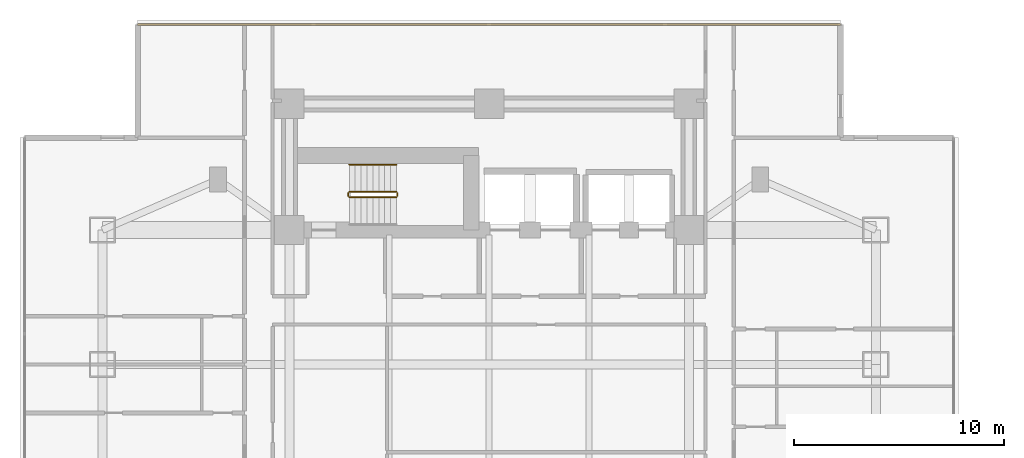
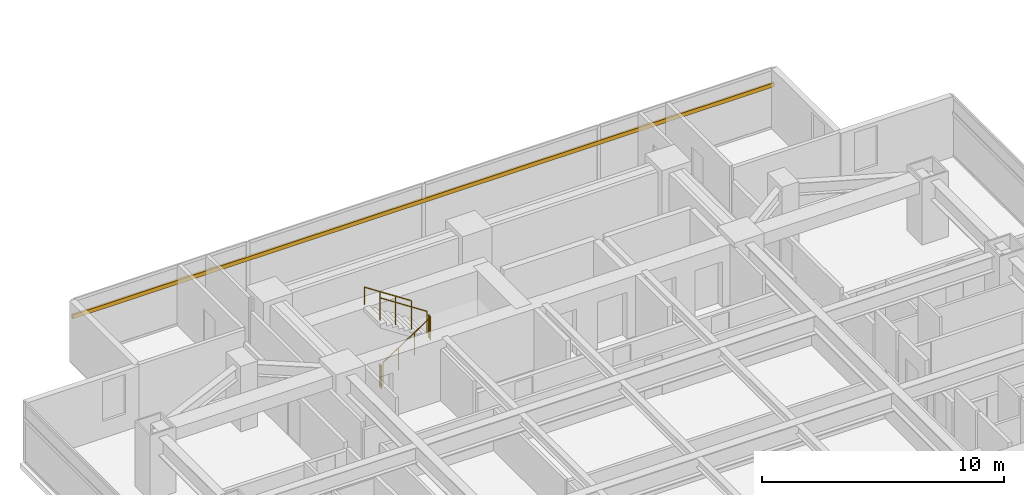
# One storey, part 22 of 25: 5 railings, 1 shading device.
"""IFC4 building model written with IfcOpenShell, lengths in metres."""

from ifc_helpers import new_model, si_unit, direction, frame, origin, origin_2d, place, context, subcontext, project, spatial, rectangle, circle, extrude, material, material_profile, profile_set, type_object, element, save


model = new_model("IFC4")

# Units and contexts
model_context = context("Model", 3, precision=1e-05, world=origin(), true_north=direction((0.0, 1.0)))
body_context = subcontext(model_context, "Body", "Model", "MODEL_VIEW")
ifc_project = project(units=[si_unit("LENGTHUNIT", "METRE"), si_unit("AREAUNIT", "SQUARE_METRE"), si_unit("VOLUMEUNIT", "CUBIC_METRE"), si_unit("PLANEANGLEUNIT", "RADIAN"), si_unit("MASSUNIT", "GRAM", prefix="KILO")], contexts=[model_context])

# Site, building, storey
site_placement = place(None, origin())
site = spatial("IfcSite", under=ifc_project, at=site_placement, CompositionType="ELEMENT")
building_placement = place(site_placement, origin())
building = spatial("IfcBuilding", under=site, at=building_placement, Name="Mirazonda Arch Towers", CompositionType="ELEMENT")
storey_placement = place(building_placement, frame((0.0, 0.0, 35.60009765625)))
storey = spatial("IfcBuildingStorey", under=building, at=storey_placement, Name="L09", CompositionType="ELEMENT", Elevation=35.60009765625)

# Shading device
ifc_material_1 = material(Name="Kiln-Fired Architectural Terracotta", Category="masonry")
ifc_material_profile = material_profile(ifc_material_1, rectangle(XDim=0.10009765625, YDim=0.199951171875, at=origin_2d()), Name="TERRA-BAG-100x200")
ifc_profile_set = profile_set([ifc_material_profile], Name="Kiln-Fired Architectural Terracotta")
shading_device_type = type_object("IfcShadingDeviceType", Name="BAGUETTE-2", PredefinedType="USERDEFINED", material=ifc_profile_set)
shading_device_placement = place(storey_placement, frame((3.780029296875, 47.3720703125, 2.188720703125), z_axis=(1.0, 0.0, 0.0), x_axis=(0.0, 1.0, 0.0)))
element("IfcShadingDevice", 1, at=shading_device_placement, inside=storey, type_object=shading_device_type, Name="L09 Glazed Terracotta Sun-Screen Baguette CW-L09-T1-N", ObjectType="BAGUETTE", PredefinedType="USERDEFINED", context=body_context, shape_type="SweptSolid", body=[
    extrude(rectangle(XDim=0.10009765625, YDim=0.199951171875, at=origin_2d()), origin(), (0.0, 0.0, 1.0), 33.43994140625),
])

# Railings
ifc_material_2 = material(Name="Architectural Brushed Steel S355", Category="steel")
railing_type_1 = type_object("IfcRailingType", Name="GUARD-STAIR-1120", PredefinedType="GUARDRAIL", material=ifc_material_2)
railing_1_placement = place(storey_placement, frame((13.85009765625, 39.169921875, 0.183349609375)))
element("IfcRailing", 2, at=railing_1_placement, inside=storey, type_object=railing_type_1, Name="L09 ST-T1N stair guard 1", PredefinedType="GUARDRAIL", context=body_context, shape_type="SweptSolid", body=[
    extrude(circle(Radius=0.02392578125, at=origin_2d()), frame((0.0, 0.0, 1.1259765625), z_axis=(0.836636935527, 0.0, 0.547757827979), x_axis=(0.0, 1.0, 0.0)), (0.0, 0.0, 1.0), 2.677490234375),
    extrude(circle(Radius=0.02099609375, at=origin_2d()), origin(), (0.0, 0.0, 1.0), 1.101806640625),
    extrude(circle(Radius=0.02099609375, at=origin_2d()), frame((0.74658203125, 0.0, 0.48876953125)), (0.0, 0.0, 1.0), 1.101806640625),
    extrude(circle(Radius=0.02099609375, at=origin_2d()), frame((1.493408203125, 0.0, 0.977783203125)), (0.0, 0.0, 1.0), 1.101806640625),
    extrude(circle(Radius=0.02099609375, at=origin_2d()), frame((2.239990234375, 0.0, 1.466552734375)), (0.0, 0.0, 1.0), 1.101806640625),
])
railing_2_placement = place(storey_placement, frame((16.139892578125, 39.219970703125, 1.64990234375)))
element("IfcRailing", 3, at=railing_2_placement, inside=storey, type_object=railing_type_1, Name="L09 ST-T1N stair guard 2", PredefinedType="GUARDRAIL", context=body_context, shape_type="SweptSolid", body=[
    extrude(circle(Radius=0.02392578125, at=origin_2d()), frame((0.0, 0.0, 1.1259765625), z_axis=(0.0, 1.0, 0.0), x_axis=(-1.0, 0.0, 0.0)), (0.0, 0.0, 1.0), 0.14013671875),
    extrude(circle(Radius=0.02099609375, at=origin_2d()), origin(), (0.0, 0.0, 1.0), 1.101806640625),
    extrude(circle(Radius=0.02099609375, at=origin_2d()), frame((0.0, 0.14013671875, 0.0)), (0.0, 0.0, 1.0), 1.101806640625),
])
railing_3_placement = place(storey_placement, frame((16.090087890625, 39.409912109375, 1.833251953125)))
element("IfcRailing", 4, at=railing_3_placement, inside=storey, type_object=railing_type_1, Name="L09 ST-T1N stair guard 3", PredefinedType="GUARDRAIL", context=body_context, shape_type="SweptSolid", body=[
    extrude(circle(Radius=0.02392578125, at=origin_2d()), frame((0.0, 0.0, 1.1259765625), z_axis=(-0.836636935527, 0.0, 0.547757827979), x_axis=(0.0, -1.0, 0.0)), (0.0, 0.0, 1.0), 2.677490234375),
    extrude(circle(Radius=0.02099609375, at=origin_2d()), origin(), (0.0, 0.0, 1.0), 1.101806640625),
    extrude(circle(Radius=0.02099609375, at=origin_2d()), frame((-0.74658203125, 0.0, 0.48876953125)), (0.0, 0.0, 1.0), 1.101806640625),
    extrude(circle(Radius=0.02099609375, at=origin_2d()), frame((-1.493408203125, 0.0, 0.977783203125)), (0.0, 0.0, 1.0), 1.101806640625),
    extrude(circle(Radius=0.02099609375, at=origin_2d()), frame((-2.239990234375, 0.0, 1.466552734375)), (0.0, 0.0, 1.0), 1.101806640625),
])
railing_4_placement = place(storey_placement, frame((13.800048828125, 39.219970703125, 0.0)))
element("IfcRailing", 5, at=railing_4_placement, inside=storey, type_object=railing_type_1, Name="L09 ST-T1N stair guard 4", PredefinedType="GUARDRAIL", context=body_context, shape_type="SweptSolid", body=[
    extrude(circle(Radius=0.02392578125, at=origin_2d()), frame((0.0, 0.0, 1.1259765625), z_axis=(0.0, 1.0, 0.0), x_axis=(-1.0, 0.0, 0.0)), (0.0, 0.0, 1.0), 0.14013671875),
    extrude(circle(Radius=0.02099609375, at=origin_2d()), origin(), (0.0, 0.0, 1.0), 1.101806640625),
    extrude(circle(Radius=0.02099609375, at=origin_2d()), frame((0.0, 0.14013671875, 0.0)), (0.0, 0.0, 1.0), 1.101806640625),
])
railing_type_2 = type_object("IfcRailingType", Name="HANDRAIL-915", PredefinedType="HANDRAIL", material=ifc_material_2)
railing_5_placement = place(storey_placement, frame((16.090087890625, 40.7099609375, 1.833251953125)))
element("IfcRailing", 6, at=railing_5_placement, inside=storey, type_object=railing_type_2, Name="L09 ST-T1N stair handrail 2", PredefinedType="HANDRAIL", context=body_context, shape_type="SweptSolid", body=[
    extrude(circle(Radius=0.02392578125, at=origin_2d()), frame((0.0, 0.0, 0.8759765625), z_axis=(-0.836636935527, 0.0, 0.547757827979), x_axis=(0.0, -1.0, 0.0)), (0.0, 0.0, 1.0), 2.677490234375),
    extrude(circle(Radius=0.02099609375, at=origin_2d()), origin(), (0.0, 0.0, 1.0), 0.851806640625),
    extrude(circle(Radius=0.02099609375, at=origin_2d()), frame((-0.74658203125, 0.0, 0.48876953125)), (0.0, 0.0, 1.0), 0.851806640625),
    extrude(circle(Radius=0.02099609375, at=origin_2d()), frame((-1.493408203125, 0.0, 0.977783203125)), (0.0, 0.0, 1.0), 0.851806640625),
    extrude(circle(Radius=0.02099609375, at=origin_2d()), frame((-2.239990234375, 0.0, 1.466552734375)), (0.0, 0.0, 1.0), 0.851806640625),
])

save(model, "model.ifc")
